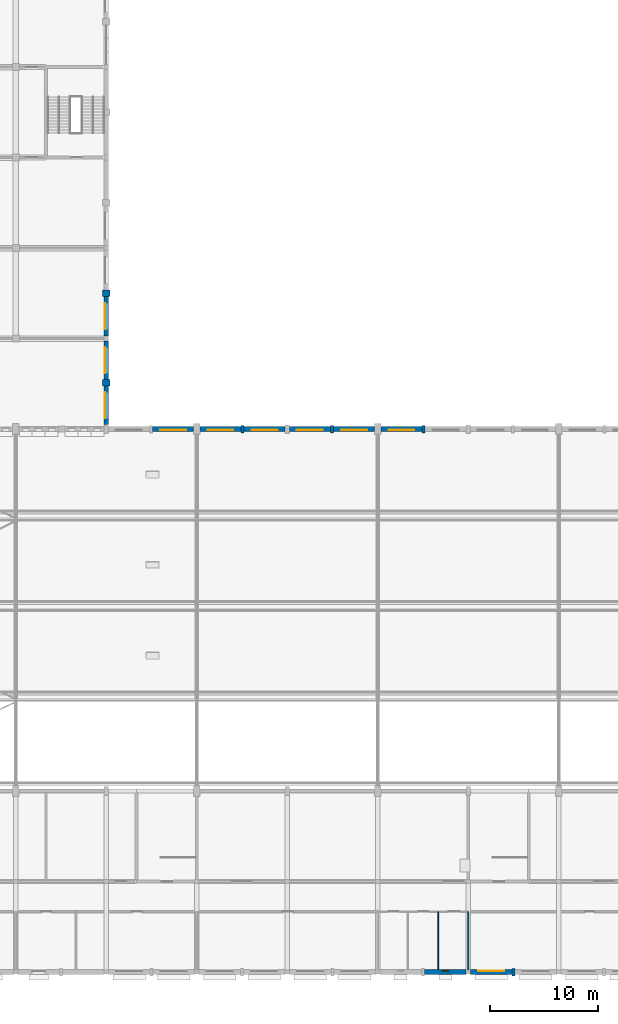
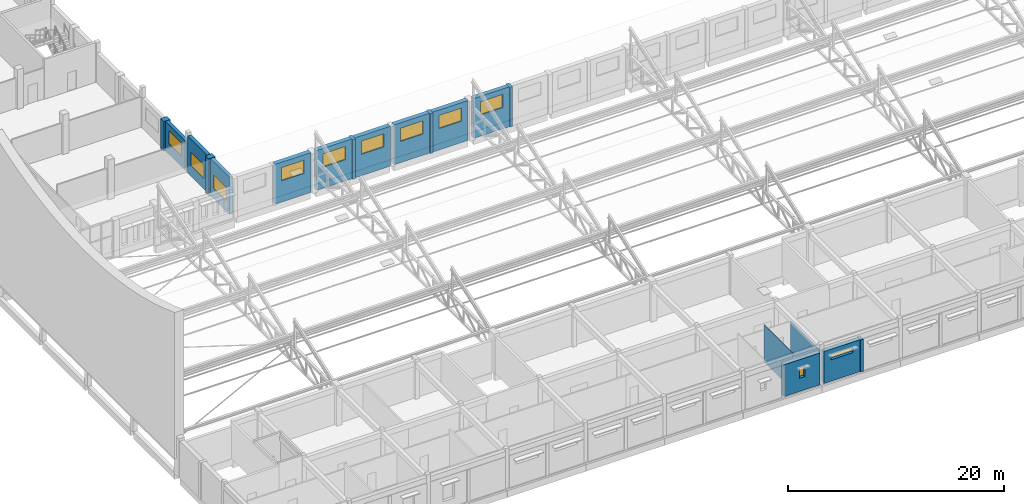
# One storey, part 73 of 101: 19 walls, 11 windows, 11 openings.
"""IFC4 building model written with IfcOpenShell, lengths in metres."""

from ifc_helpers import new_model, si_unit, direction, frame, frame_2d, origin, place, context, subcontext, project, spatial, rectangle, extrude, material, layer, layer_set, type_object, element, fill, save


model = new_model("IFC4")

# Units and contexts
model_context = context("Model", 3, precision=1e-05, world=origin(), true_north=direction((0.0, 1.0)))
body_context = subcontext(model_context, "Body", "Model", "MODEL_VIEW")
ifc_project = project(units=[si_unit("LENGTHUNIT", "METRE"), si_unit("AREAUNIT", "SQUARE_METRE"), si_unit("VOLUMEUNIT", "CUBIC_METRE"), si_unit("PLANEANGLEUNIT", "RADIAN"), si_unit("MASSUNIT", "GRAM", prefix="KILO")], contexts=[model_context])

# Site, building, storey
site_placement = place(None, origin())
site = spatial("IfcSite", under=ifc_project, at=site_placement, CompositionType="ELEMENT")
building_placement = place(site_placement, origin())
building = spatial("IfcBuilding", under=site, at=building_placement, Name="Fescue Hill Polytechnic", CompositionType="ELEMENT")
storey_placement = place(building_placement, frame((0.0, 0.0, 9.0)))
storey = spatial("IfcBuildingStorey", under=building, at=storey_placement, Name="L02", CompositionType="ELEMENT", Elevation=9.0)

# Wall, opening, window
ifc_material_1 = material(Name="Clay brick masonry", Category="masonry")
ifc_layer_1 = layer(ifc_material_1, 0.47998046875)
ifc_layer_set_1 = layer_set([ifc_layer_1], Name="Clay brick masonry")
wall_type_1 = type_object("IfcWallType", Name="Exterior wall engineering brick cavity 480", PredefinedType="SOLIDWALL", material=ifc_layer_set_1)
wall_1_placement = place(storey_placement, frame((54.75, 0.0, 0.0), z_axis=(0.0, 0.0, 1.0), x_axis=(1.0, 0.0, 0.0)))
wall_1 = element("IfcWall", 1, at=wall_1_placement, inside=storey, type_object=wall_type_1, Name="EW-L02-V1-36", PredefinedType="SOLIDWALL", context=body_context, shape_type="SweptSolid", body=[
    extrude(rectangle(XDim=3.85009765625, YDim=0.47998046875, at=frame_2d((1.925048828125, 0.0))), origin(), (0.0, 0.0, 1.0), 3.60009765625),
])
opening_1_placement = place(wall_1_placement, frame((1.625, 0.0, 1.5)))
opening_1 = element("IfcOpeningElement", 2, at=opening_1_placement, cuts=wall_1, Name="Opening W11", PredefinedType="OPENING", context=body_context, shape_type="SweptSolid", body=[
    extrude(rectangle(XDim=0.60009765625, YDim=1.199951171875, at=frame_2d((0.300048828125, 0.60009765625))), frame((0.0, 0.25, 0.0), z_axis=(0.0, -1.0, 0.0), x_axis=(1.0, 0.0, 0.0)), (0.0, 0.0, 1.0), 0.5),
])
ifc_material_2 = material(Name="Powder-coated aluminium and glass", Category="aluminium")
window_type_1 = type_object("IfcWindowType", Name="Window WC high-level 600x1200", PartitioningType="SINGLE_PANEL", PredefinedType="WINDOW", material=ifc_material_2)
window_1_placement = place(opening_1_placement, origin())
window_1 = element("IfcWindow", 3, at=window_1_placement, inside=storey, type_object=window_type_1, Name="WN-L02-V1-14", OverallHeight=1.199951171875, OverallWidth=0.60009765625, PartitioningType="SINGLE_PANEL", PredefinedType="WINDOW", context=body_context, shape_type="SweptSolid", body=[
    extrude(rectangle(XDim=0.60009765625, YDim=1.199951171875, at=frame_2d((0.300048828125, 0.60009765625))), frame((0.0, 0.1201171875, 0.0), z_axis=(0.0, -1.0, 0.0), x_axis=(1.0, 0.0, 0.0)), (0.0, 0.0, 1.0), 0.06005859375),
])
fill(opening_1, window_1)

wall_2_placement = place(storey_placement, frame((59.0, 0.0, 0.0), z_axis=(0.0, 0.0, 1.0), x_axis=(1.0, 0.0, 0.0)))
wall_2 = element("IfcWall", 4, at=wall_2_placement, inside=storey, type_object=wall_type_1, Name="EW-L02-V1-37", PredefinedType="SOLIDWALL", context=body_context, shape_type="SweptSolid", body=[
    extrude(rectangle(XDim=3.85009765625, YDim=0.47998046875, at=frame_2d((1.925048828125, 0.0))), origin(), (0.0, 0.0, 1.0), 3.60009765625),
])
opening_2_placement = place(wall_2_placement, frame((0.72509765625, 0.0, 2.39990234375)))
opening_2 = element("IfcOpeningElement", 5, at=opening_2_placement, cuts=wall_2, Name="Opening W2R", PredefinedType="OPENING", context=body_context, shape_type="SweptSolid", body=[
    extrude(rectangle(XDim=2.39990234375, YDim=0.60009765625, at=frame_2d((1.199951171875, 0.300048828125))), frame((0.0, 0.25, 0.0), z_axis=(0.0, -1.0, 0.0), x_axis=(1.0, 0.0, 0.0)), (0.0, 0.0, 1.0), 0.5),
])
window_type_2 = type_object("IfcWindowType", Name="Window workshop high 2400x600", PartitioningType="TRIPLE_PANEL_VERTICAL", PredefinedType="WINDOW", material=ifc_material_2)
window_2_placement = place(opening_2_placement, origin())
window_2 = element("IfcWindow", 6, at=window_2_placement, inside=storey, type_object=window_type_2, Name="WN-L02-V1-15", OverallHeight=0.60009765625, OverallWidth=2.39990234375, PartitioningType="SINGLE_PANEL", PredefinedType="WINDOW", context=body_context, shape_type="SweptSolid", body=[
    extrude(rectangle(XDim=2.39990234375, YDim=0.60009765625, at=frame_2d((1.199951171875, 0.300048828125))), frame((0.0, 0.1201171875, 0.0), z_axis=(0.0, -1.0, 0.0), x_axis=(1.0, 0.0, 0.0)), (0.0, 0.0, 1.0), 0.06005859375),
])
fill(opening_2, window_2)

wall_3_placement = place(storey_placement, frame((54.5, 50.39990234375, 0.0), z_axis=(0.0, 0.0, 1.0), x_axis=(-1.0, 0.0, 0.0)))
wall_3 = element("IfcWall", 7, at=wall_3_placement, inside=storey, type_object=wall_type_1, Name="EW-L02-V1-66", PredefinedType="SOLIDWALL", context=body_context, shape_type="SweptSolid", body=[
    extrude(rectangle(XDim=3.800048828125, YDim=0.47998046875, at=frame_2d((1.89990234375, 0.0))), origin(), (0.0, 0.0, 1.0), 4.5),
])
opening_3_placement = place(wall_3_placement, frame((0.699951171875, 0.0, 2.39990234375)))
opening_3 = element("IfcOpeningElement", 8, at=opening_3_placement, cuts=wall_3, Name="Opening W2", PredefinedType="OPENING", context=body_context, shape_type="SweptSolid", body=[
    extrude(rectangle(XDim=2.39990234375, YDim=1.5, at=frame_2d((1.199951171875, 0.75))), frame((0.0, 0.25, 0.0), z_axis=(0.0, -1.0, 0.0), x_axis=(1.0, 0.0, 0.0)), (0.0, 0.0, 1.0), 0.5),
])
window_type_3 = type_object("IfcWindowType", Name="Window workshop high 2400x1500", PartitioningType="TRIPLE_PANEL_VERTICAL", PredefinedType="WINDOW", material=ifc_material_2)
window_3_placement = place(opening_3_placement, origin())
window_3 = element("IfcWindow", 9, at=window_3_placement, inside=storey, type_object=window_type_3, Name="WN-L02-V1-42", OverallHeight=1.5, OverallWidth=2.39990234375, PartitioningType="SINGLE_PANEL", PredefinedType="WINDOW", context=body_context, shape_type="SweptSolid", body=[
    extrude(rectangle(XDim=2.39990234375, YDim=1.5, at=frame_2d((1.199951171875, 0.75))), frame((0.0, 0.1201171875, 0.0), z_axis=(0.0, -1.0, 0.0), x_axis=(1.0, 0.0, 0.0)), (0.0, 0.0, 1.0), 0.06005859375),
])
fill(opening_3, window_3)

wall_4_placement = place(storey_placement, frame((50.10009765625, 50.39990234375, 0.0), z_axis=(0.0, 0.0, 1.0), x_axis=(-1.0, 0.0, 0.0)))
wall_4 = element("IfcWall", 10, at=wall_4_placement, inside=storey, type_object=wall_type_1, Name="EW-L02-V1-67", PredefinedType="SOLIDWALL", context=body_context, shape_type="SweptSolid", body=[
    extrude(rectangle(XDim=3.800048828125, YDim=0.47998046875, at=frame_2d((1.89990234375, 0.0))), origin(), (0.0, 0.0, 1.0), 4.5),
])
opening_4_placement = place(wall_4_placement, frame((0.699951171875, 0.0, 2.39990234375)))
opening_4 = element("IfcOpeningElement", 11, at=opening_4_placement, cuts=wall_4, Name="Opening W2", PredefinedType="OPENING", context=body_context, shape_type="SweptSolid", body=[
    extrude(rectangle(XDim=2.39990234375, YDim=1.5, at=frame_2d((1.199951171875, 0.75))), frame((0.0, 0.25, 0.0), z_axis=(0.0, -1.0, 0.0), x_axis=(1.0, 0.0, 0.0)), (0.0, 0.0, 1.0), 0.5),
])
window_4_placement = place(opening_4_placement, origin())
window_4 = element("IfcWindow", 12, at=window_4_placement, inside=storey, type_object=window_type_3, Name="WN-L02-V1-43", OverallHeight=1.5, OverallWidth=2.39990234375, PartitioningType="SINGLE_PANEL", PredefinedType="WINDOW", context=body_context, shape_type="SweptSolid", body=[
    extrude(rectangle(XDim=2.39990234375, YDim=1.5, at=frame_2d((1.199951171875, 0.75))), frame((0.0, 0.1201171875, 0.0), z_axis=(0.0, -1.0, 0.0), x_axis=(1.0, 0.0, 0.0)), (0.0, 0.0, 1.0), 0.06005859375),
])
fill(opening_4, window_4)

wall_5_placement = place(storey_placement, frame((46.0, 50.39990234375, 0.0), z_axis=(0.0, 0.0, 1.0), x_axis=(-1.0, 0.0, 0.0)))
wall_5 = element("IfcWall", 13, at=wall_5_placement, inside=storey, type_object=wall_type_1, Name="EW-L02-V1-68", PredefinedType="SOLIDWALL", context=body_context, shape_type="SweptSolid", body=[
    extrude(rectangle(XDim=3.800048828125, YDim=0.47998046875, at=frame_2d((1.89990234375, 0.0))), origin(), (0.0, 0.0, 1.0), 4.5),
])
opening_5_placement = place(wall_5_placement, frame((0.699951171875, 0.0, 2.39990234375)))
opening_5 = element("IfcOpeningElement", 14, at=opening_5_placement, cuts=wall_5, Name="Opening W2", PredefinedType="OPENING", context=body_context, shape_type="SweptSolid", body=[
    extrude(rectangle(XDim=2.39990234375, YDim=1.5, at=frame_2d((1.199951171875, 0.75))), frame((0.0, 0.25, 0.0), z_axis=(0.0, -1.0, 0.0), x_axis=(1.0, 0.0, 0.0)), (0.0, 0.0, 1.0), 0.5),
])
window_5_placement = place(opening_5_placement, origin())
window_5 = element("IfcWindow", 15, at=window_5_placement, inside=storey, type_object=window_type_3, Name="WN-L02-V1-44", OverallHeight=1.5, OverallWidth=2.39990234375, PartitioningType="SINGLE_PANEL", PredefinedType="WINDOW", context=body_context, shape_type="SweptSolid", body=[
    extrude(rectangle(XDim=2.39990234375, YDim=1.5, at=frame_2d((1.199951171875, 0.75))), frame((0.0, 0.1201171875, 0.0), z_axis=(0.0, -1.0, 0.0), x_axis=(1.0, 0.0, 0.0)), (0.0, 0.0, 1.0), 0.06005859375),
])
fill(opening_5, window_5)

wall_6_placement = place(storey_placement, frame((41.800048828125, 50.39990234375, 0.0), z_axis=(0.0, 0.0, 1.0), x_axis=(-1.0, 0.0, 0.0)))
wall_6 = element("IfcWall", 16, at=wall_6_placement, inside=storey, type_object=wall_type_1, Name="EW-L02-V1-69", PredefinedType="SOLIDWALL", context=body_context, shape_type="SweptSolid", body=[
    extrude(rectangle(XDim=3.800048828125, YDim=0.47998046875, at=frame_2d((1.89990234375, 0.0))), origin(), (0.0, 0.0, 1.0), 4.5),
])
opening_6_placement = place(wall_6_placement, frame((0.699951171875, 0.0, 2.39990234375)))
opening_6 = element("IfcOpeningElement", 17, at=opening_6_placement, cuts=wall_6, Name="Opening W2", PredefinedType="OPENING", context=body_context, shape_type="SweptSolid", body=[
    extrude(rectangle(XDim=2.39990234375, YDim=1.5, at=frame_2d((1.199951171875, 0.75))), frame((0.0, 0.25, 0.0), z_axis=(0.0, -1.0, 0.0), x_axis=(1.0, 0.0, 0.0)), (0.0, 0.0, 1.0), 0.5),
])
window_6_placement = place(opening_6_placement, origin())
window_6 = element("IfcWindow", 18, at=window_6_placement, inside=storey, type_object=window_type_3, Name="WN-L02-V1-45", OverallHeight=1.5, OverallWidth=2.39990234375, PartitioningType="SINGLE_PANEL", PredefinedType="WINDOW", context=body_context, shape_type="SweptSolid", body=[
    extrude(rectangle(XDim=2.39990234375, YDim=1.5, at=frame_2d((1.199951171875, 0.75))), frame((0.0, 0.1201171875, 0.0), z_axis=(0.0, -1.0, 0.0), x_axis=(1.0, 0.0, 0.0)), (0.0, 0.0, 1.0), 0.06005859375),
])
fill(opening_6, window_6)

wall_7_placement = place(storey_placement, frame((37.699951171875, 50.39990234375, 0.0), z_axis=(0.0, 0.0, 1.0), x_axis=(-1.0, 0.0, 0.0)))
wall_7 = element("IfcWall", 19, at=wall_7_placement, inside=storey, type_object=wall_type_1, Name="EW-L02-V1-70", PredefinedType="SOLIDWALL", context=body_context, shape_type="SweptSolid", body=[
    extrude(rectangle(XDim=3.800048828125, YDim=0.47998046875, at=frame_2d((1.89990234375, 0.0))), origin(), (0.0, 0.0, 1.0), 4.5),
])
opening_7_placement = place(wall_7_placement, frame((0.699951171875, 0.0, 2.39990234375)))
opening_7 = element("IfcOpeningElement", 20, at=opening_7_placement, cuts=wall_7, Name="Opening W2", PredefinedType="OPENING", context=body_context, shape_type="SweptSolid", body=[
    extrude(rectangle(XDim=2.39990234375, YDim=1.5, at=frame_2d((1.199951171875, 0.75))), frame((0.0, 0.25, 0.0), z_axis=(0.0, -1.0, 0.0), x_axis=(1.0, 0.0, 0.0)), (0.0, 0.0, 1.0), 0.5),
])
window_7_placement = place(opening_7_placement, origin())
window_7 = element("IfcWindow", 21, at=window_7_placement, inside=storey, type_object=window_type_3, Name="WN-L02-V1-46", OverallHeight=1.5, OverallWidth=2.39990234375, PartitioningType="SINGLE_PANEL", PredefinedType="WINDOW", context=body_context, shape_type="SweptSolid", body=[
    extrude(rectangle(XDim=2.39990234375, YDim=1.5, at=frame_2d((1.199951171875, 0.75))), frame((0.0, 0.1201171875, 0.0), z_axis=(0.0, -1.0, 0.0), x_axis=(1.0, 0.0, 0.0)), (0.0, 0.0, 1.0), 0.06005859375),
])
fill(opening_7, window_7)

wall_8_placement = place(storey_placement, frame((33.300048828125, 50.39990234375, 0.0), z_axis=(0.0, 0.0, 1.0), x_axis=(-1.0, 0.0, 0.0)))
wall_8 = element("IfcWall", 22, at=wall_8_placement, inside=storey, type_object=wall_type_1, Name="EW-L02-V1-71", PredefinedType="SOLIDWALL", context=body_context, shape_type="SweptSolid", body=[
    extrude(rectangle(XDim=3.800048828125, YDim=0.47998046875, at=frame_2d((1.89990234375, 0.0))), origin(), (0.0, 0.0, 1.0), 4.5),
])
opening_8_placement = place(wall_8_placement, frame((0.699951171875, 0.0, 2.39990234375)))
opening_8 = element("IfcOpeningElement", 23, at=opening_8_placement, cuts=wall_8, Name="Opening W2", PredefinedType="OPENING", context=body_context, shape_type="SweptSolid", body=[
    extrude(rectangle(XDim=2.39990234375, YDim=1.5, at=frame_2d((1.199951171875, 0.75))), frame((0.0, 0.25, 0.0), z_axis=(0.0, -1.0, 0.0), x_axis=(1.0, 0.0, 0.0)), (0.0, 0.0, 1.0), 0.5),
])
window_8_placement = place(opening_8_placement, origin())
window_8 = element("IfcWindow", 24, at=window_8_placement, inside=storey, type_object=window_type_3, Name="WN-L02-V1-47", OverallHeight=1.5, OverallWidth=2.39990234375, PartitioningType="SINGLE_PANEL", PredefinedType="WINDOW", context=body_context, shape_type="SweptSolid", body=[
    extrude(rectangle(XDim=2.39990234375, YDim=1.5, at=frame_2d((1.199951171875, 0.75))), frame((0.0, 0.1201171875, 0.0), z_axis=(0.0, -1.0, 0.0), x_axis=(1.0, 0.0, 0.0)), (0.0, 0.0, 1.0), 0.06005859375),
])
fill(opening_8, window_8)

ifc_material_3 = material(Name="Terracotta rainscreen on concrete block", Category="masonry")
ifc_layer_2 = layer(ifc_material_3, 0.3798828125)
ifc_layer_set_2 = layer_set([ifc_layer_2], Name="Terracotta rainscreen on concrete block")
wall_type_2 = type_object("IfcWallType", Name="Exterior wall rainscreen terracotta on blockwork 380", PredefinedType="SOLIDWALL", material=ifc_layer_set_2)
wall_9_placement = place(storey_placement, frame((25.199951171875, 50.800048828125, 0.0), z_axis=(0.0, 0.0, 1.0), x_axis=(0.0, 1.0, 0.0)))
wall_9 = element("IfcWall", 25, at=wall_9_placement, inside=storey, type_object=wall_type_2, Name="EW-L02-V4-1", PredefinedType="SOLIDWALL", context=body_context, shape_type="SweptSolid", body=[
    extrude(rectangle(XDim=3.58740234375, YDim=0.3798828125, at=frame_2d((1.793701171875, 0.0))), origin(), (0.0, 0.0, 1.0), 4.199951171875),
])
opening_9_placement = place(wall_9_placement, frame((0.59375, 0.0, 1.199951171875)))
opening_9 = element("IfcOpeningElement", 26, at=opening_9_placement, cuts=wall_9, Name="Opening W3", PredefinedType="OPENING", context=body_context, shape_type="SweptSolid", body=[
    extrude(rectangle(XDim=2.39990234375, YDim=1.5, at=frame_2d((1.199951171875, 0.75))), frame((0.0, 0.199951171875, 0.0), z_axis=(0.0, -1.0, 0.0), x_axis=(1.0, 0.0, 0.0)), (0.0, 0.0, 1.0), 0.39990234375),
])
window_type_4 = type_object("IfcWindowType", Name="Window laboratory strip 2400x1500", PartitioningType="TRIPLE_PANEL_VERTICAL", PredefinedType="WINDOW", material=ifc_material_2)
window_9_placement = place(opening_9_placement, origin())
window_9 = element("IfcWindow", 27, at=window_9_placement, inside=storey, type_object=window_type_4, Name="WN-L02-V4-1", OverallHeight=1.5, OverallWidth=2.39990234375, PartitioningType="SINGLE_PANEL", PredefinedType="WINDOW", context=body_context, shape_type="SweptSolid", body=[
    extrude(rectangle(XDim=2.39990234375, YDim=1.5, at=frame_2d((1.199951171875, 0.75))), frame((0.0, 0.150146484375, 0.0), z_axis=(0.0, -1.0, 0.0), x_axis=(1.0, 0.0, 0.0)), (0.0, 0.0, 1.0), 0.06005859375),
])
fill(opening_9, window_9)

wall_10_placement = place(storey_placement, frame((25.199951171875, 54.987548828125, 0.0), z_axis=(0.0, 0.0, 1.0), x_axis=(0.0, 1.0, 0.0)))
wall_10 = element("IfcWall", 28, at=wall_10_placement, inside=storey, type_object=wall_type_2, Name="EW-L02-V4-2", PredefinedType="SOLIDWALL", context=body_context, shape_type="SweptSolid", body=[
    extrude(rectangle(XDim=3.58740234375, YDim=0.3798828125, at=frame_2d((1.793701171875, 0.0))), origin(), (0.0, 0.0, 1.0), 4.199951171875),
])
opening_10_placement = place(wall_10_placement, frame((0.59375, 0.0, 1.199951171875)))
opening_10 = element("IfcOpeningElement", 29, at=opening_10_placement, cuts=wall_10, Name="Opening W3", PredefinedType="OPENING", context=body_context, shape_type="SweptSolid", body=[
    extrude(rectangle(XDim=2.39990234375, YDim=1.5, at=frame_2d((1.199951171875, 0.75))), frame((0.0, 0.199951171875, 0.0), z_axis=(0.0, -1.0, 0.0), x_axis=(1.0, 0.0, 0.0)), (0.0, 0.0, 1.0), 0.39990234375),
])
window_10_placement = place(opening_10_placement, origin())
window_10 = element("IfcWindow", 30, at=window_10_placement, inside=storey, type_object=window_type_4, Name="WN-L02-V4-2", OverallHeight=1.5, OverallWidth=2.39990234375, PartitioningType="SINGLE_PANEL", PredefinedType="WINDOW", context=body_context, shape_type="SweptSolid", body=[
    extrude(rectangle(XDim=2.39990234375, YDim=1.5, at=frame_2d((1.199951171875, 0.75))), frame((0.0, 0.150146484375, 0.0), z_axis=(0.0, -1.0, 0.0), x_axis=(1.0, 0.0, 0.0)), (0.0, 0.0, 1.0), 0.06005859375),
])
fill(opening_10, window_10)

wall_11_placement = place(storey_placement, frame((25.199951171875, 59.02490234375, 0.0), z_axis=(0.0, 0.0, 1.0), x_axis=(0.0, 1.0, 0.0)))
wall_11 = element("IfcWall", 31, at=wall_11_placement, inside=storey, type_object=wall_type_2, Name="EW-L02-V4-3", PredefinedType="SOLIDWALL", context=body_context, shape_type="SweptSolid", body=[
    extrude(rectangle(XDim=3.675048828125, YDim=0.3798828125, at=frame_2d((1.83740234375, 0.0))), origin(), (0.0, 0.0, 1.0), 3.35009765625),
])
opening_11_placement = place(wall_11_placement, frame((0.637451171875, 0.0, 1.199951171875)))
opening_11 = element("IfcOpeningElement", 32, at=opening_11_placement, cuts=wall_11, Name="Opening W3", PredefinedType="OPENING", context=body_context, shape_type="SweptSolid", body=[
    extrude(rectangle(XDim=2.39990234375, YDim=1.5, at=frame_2d((1.199951171875, 0.75))), frame((0.0, 0.199951171875, 0.0), z_axis=(0.0, -1.0, 0.0), x_axis=(1.0, 0.0, 0.0)), (0.0, 0.0, 1.0), 0.39990234375),
])
window_11_placement = place(opening_11_placement, origin())
window_11 = element("IfcWindow", 33, at=window_11_placement, inside=storey, type_object=window_type_4, Name="WN-L02-V4-3", OverallHeight=1.5, OverallWidth=2.39990234375, PartitioningType="SINGLE_PANEL", PredefinedType="WINDOW", context=body_context, shape_type="SweptSolid", body=[
    extrude(rectangle(XDim=2.39990234375, YDim=1.5, at=frame_2d((1.199951171875, 0.75))), frame((0.0, 0.150146484375, 0.0), z_axis=(0.0, -1.0, 0.0), x_axis=(1.0, 0.0, 0.0)), (0.0, 0.0, 1.0), 0.06005859375),
])
fill(opening_11, window_11)

# Walls
ifc_material_4 = material(Name="Concrete 40 MPa", Category="concrete")
ifc_layer_3 = layer(ifc_material_4, 0.699951171875)
ifc_layer_set_3 = layer_set([ifc_layer_3], Name="Concrete 40 MPa")
wall_type_3 = type_object("IfcWallType", Name="Fin wall board-marked 300x700", PredefinedType="SOLIDWALL", material=ifc_layer_set_3)
wall_12_placement = place(storey_placement, frame((62.85009765625, 0.0, 0.0), z_axis=(0.0, 0.0, 1.0), x_axis=(1.0, 0.0, 0.0)))
element("IfcWall", 34, at=wall_12_placement, inside=storey, type_object=wall_type_3, Name="PR-L02-V1-12", PredefinedType="SOLIDWALL", context=body_context, shape_type="SweptSolid", body=[
    extrude(rectangle(XDim=0.2998046875, YDim=0.699951171875, at=frame_2d((0.14990234375, 0.0))), origin(), (0.0, 0.0, 1.0), 3.60009765625),
])
for number, where, z_axis, x_axis, name in (
    (35, (54.800048828125, 50.39990234375, 0.0), (0.0, 0.0, 1.0), (-1.0, 0.0, 0.0), "PR-L02-V1-26"),
    (36, (46.300048828125, 50.39990234375, 0.0), (0.0, 0.0, 1.0), (-1.0, 0.0, 0.0), "PR-L02-V1-27"),
    (37, (38.0, 50.39990234375, 0.0), (0.0, 0.0, 1.0), (-1.0, 0.0, 0.0), "PR-L02-V1-28"),
):
    element("IfcWall", number, at=place(storey_placement, frame(where, z_axis=z_axis, x_axis=x_axis)), inside=storey, type_object=wall_type_3, Name=name, PredefinedType="SOLIDWALL", context=body_context, shape_type="SweptSolid", body=[
        extrude(rectangle(XDim=0.300048828125, YDim=0.699951171875, at=frame_2d((0.14990234375, 0.0))), origin(), (0.0, 0.0, 1.0), 4.5),
    ])
ifc_layer_4 = layer(ifc_material_4, 0.699951171875)
ifc_layer_set_4 = layer_set([ifc_layer_4], Name="Concrete 40 MPa")
wall_type_4 = type_object("IfcWallType", Name="Fin wall board-marked 600x700", PredefinedType="SOLIDWALL", material=ifc_layer_set_4)
wall_13_placement = place(storey_placement, frame((25.199951171875, 54.387451171875, 0.0), z_axis=(0.0, 0.0, 1.0), x_axis=(0.0, 1.0, 0.0)))
element("IfcWall", 38, at=wall_13_placement, inside=storey, type_object=wall_type_4, Name="PR-L02-V4-1", PredefinedType="SOLIDWALL", context=body_context, shape_type="SweptSolid", body=[
    extrude(rectangle(XDim=0.60009765625, YDim=0.699951171875, at=frame_2d((0.300048828125, 0.0))), origin(), (0.0, 0.0, 1.0), 4.199951171875),
])
wall_14_placement = place(storey_placement, frame((25.199951171875, 62.699951171875, 0.0), z_axis=(0.0, 0.0, 1.0), x_axis=(0.0, 1.0, 0.0)))
element("IfcWall", 39, at=wall_14_placement, inside=storey, type_object=wall_type_4, Name="PR-L02-V4-2", PredefinedType="SOLIDWALL", context=body_context, shape_type="SweptSolid", body=[
    extrude(rectangle(XDim=0.60009765625, YDim=0.699951171875, at=frame_2d((0.300048828125, 0.0))), origin(), (0.0, 0.0, 1.0), 3.35009765625),
])
ifc_material_5 = material(Name="Gypsum board partition")
ifc_layer_5 = layer(ifc_material_5, 0.10009765625)
ifc_layer_set_5 = layer_set([ifc_layer_5], Name="Gypsum board partition")
wall_type_5 = type_object("IfcWallType", Name="WC partition 100 moisture resistant", PredefinedType="PARTITIONING", material=ifc_layer_set_5)
wall_15_placement = place(storey_placement, frame((56.0, 0.239990234375, 0.0), z_axis=(0.0, 0.0, 1.0), x_axis=(0.0, 1.0, 0.0)))
element("IfcWall", 40, at=wall_15_placement, inside=storey, type_object=wall_type_5, Name="IW-L02-101", PredefinedType="PARTITIONING", context=body_context, shape_type="SweptSolid", body=[
    extrude(rectangle(XDim=5.360107421875, YDim=0.10009765625, at=frame_2d((2.68017578125, 0.0))), origin(), (0.0, 0.0, 1.0), 4.14990234375),
])
wall_16_placement = place(storey_placement, frame((58.800048828125, 0.199951171875, 0.0), z_axis=(0.0, 0.0, 1.0), x_axis=(0.0, 1.0, 0.0)))
element("IfcWall", 41, at=wall_16_placement, inside=storey, type_object=wall_type_5, Name="IW-L02-104", PredefinedType="PARTITIONING", context=body_context, shape_type="SweptSolid", body=[
    extrude(rectangle(XDim=5.400146484375, YDim=0.10009765625, at=frame_2d((2.7001953125, 0.0))), origin(), (0.0, 0.0, 1.0), 3.60009765625),
])

save(model, "model.ifc")
